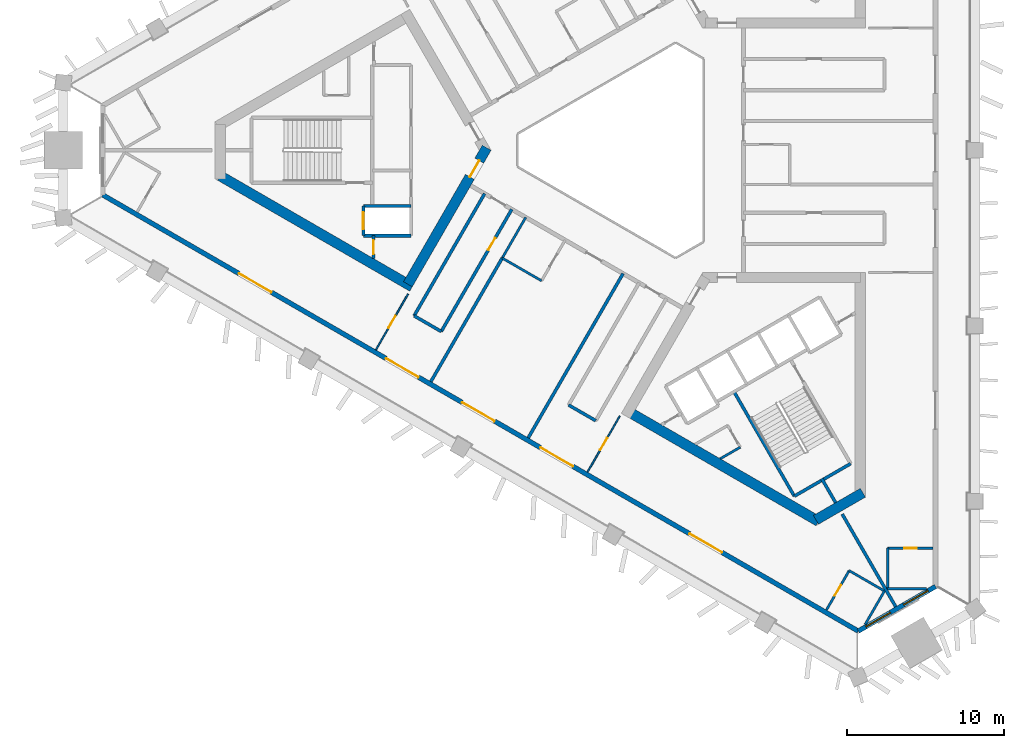
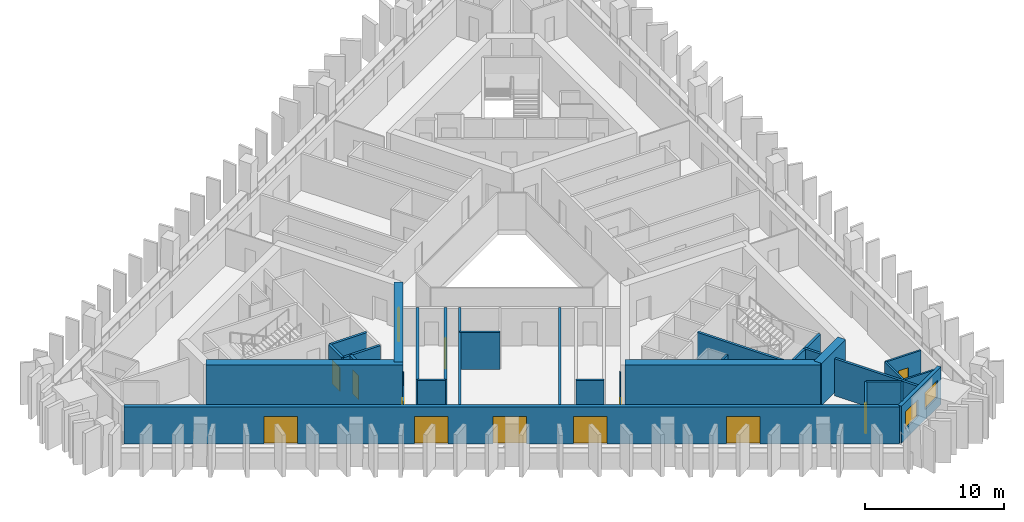
# One storey, part 2 of 10: 31 walls, 13 doors, 2 windows, 15 openings.
"""IFC4 building model written with IfcOpenShell, lengths in metres."""

from ifc_helpers import new_model, si_unit, direction, frame, frame_2d, origin, place, context, subcontext, project, spatial, rectangle, extrude, material, layer, layer_set, type_object, element, fill, save


model = new_model("IFC4")

# Units and contexts
model_context = context("Model", 3, precision=1e-05, world=origin(), true_north=direction((0.0, 1.0)))
body_context = subcontext(model_context, "Body", "Model", "MODEL_VIEW")
ifc_project = project(units=[si_unit("LENGTHUNIT", "METRE"), si_unit("AREAUNIT", "SQUARE_METRE"), si_unit("VOLUMEUNIT", "CUBIC_METRE"), si_unit("PLANEANGLEUNIT", "RADIAN"), si_unit("MASSUNIT", "GRAM", prefix="KILO")], contexts=[model_context])

# Site, building, storey
site_placement = place(None, origin())
site = spatial("IfcSite", under=ifc_project, at=site_placement, CompositionType="ELEMENT")
building_placement = place(site_placement, origin())
building = spatial("IfcBuilding", under=site, at=building_placement, Name="Jabali Bay Hotel Tower and Convention Centre", CompositionType="ELEMENT")
storey_placement = place(building_placement, frame((0.0, 0.0, 136.39990234375)))
storey = spatial("IfcBuildingStorey", under=building, at=storey_placement, Name="L33", CompositionType="ELEMENT", Elevation=136.39990234375)

# Wall, opening, door
ifc_material_1 = material(Name="Concrete C40", Category="concrete")
ifc_layer_1 = layer(ifc_material_1, 0.199951171875)
ifc_layer_set_1 = layer_set([ifc_layer_1], Name="Concrete C40")
wall_type_1 = type_object("IfcWallType", Name="Core partition wall 200", PredefinedType="PARTITIONING", material=ifc_layer_set_1)
wall_1_placement = place(storey_placement, frame((58.5, 74.550048828125, 0.0), z_axis=(0.0, 0.0, 1.0), x_axis=(0.0, -1.0, 0.0)))
wall_1 = element("IfcWall", 1, at=wall_1_placement, inside=storey, type_object=wall_type_1, Name="Core wall 0.10 L33", PredefinedType="PARTITIONING", context=body_context, shape_type="SweptSolid", body=[
    extrude(rectangle(XDim=1.455078125, YDim=0.199951171875, at=frame_2d((0.7275390625, 0.0))), origin(), (0.0, 0.0, 1.0), 3.25),
])
opening_1_placement = place(wall_1_placement, frame((0.277587890625, 0.0, 0.0)))
opening_1 = element("IfcOpeningElement", 2, at=opening_1_placement, cuts=wall_1, Name="Opening D726", PredefinedType="OPENING", context=body_context, shape_type="SweptSolid", body=[
    extrude(rectangle(XDim=0.89990234375, YDim=2.10009765625, at=frame_2d((0.449951171875, 1.050048828125))), frame((0.0, 0.1103515625, 0.0), z_axis=(0.0, -1.0, 0.0), x_axis=(1.0, 0.0, 0.0)), (0.0, 0.0, 1.0), 0.220947265625),
])
ifc_material_2 = material(Name="Fire-rated steel door", Category="steel")
door_type_1 = type_object("IfcDoorType", Name="Vestibule fire door 900 x 2100", OperationType="NOTDEFINED", PredefinedType="NOTDEFINED", material=ifc_material_2)
door_1_placement = place(opening_1_placement, origin())
door_1 = element("IfcDoor", 3, at=door_1_placement, inside=storey, type_object=door_type_1, Name="Vestibule fire door D726", OperationType="SINGLE_SWING_LEFT", OverallHeight=2.10009765625, OverallWidth=0.89990234375, PredefinedType="NOTDEFINED", context=body_context, shape_type="SweptSolid", body=[
    extrude(rectangle(XDim=0.89990234375, YDim=2.10009765625, at=frame_2d((0.449951171875, 1.050048828125))), frame((0.0, 0.02490234375, 0.0), z_axis=(0.0, -1.0, 0.0), x_axis=(1.0, 0.0, 0.0)), (0.0, 0.0, 1.0), 0.050048828125),
])
fill(opening_1, door_1)

# Walls
wall_2_placement = place(storey_placement, frame((87.090087890625, 59.0595703125, 0.0), z_axis=(0.0, 0.0, 1.0), x_axis=(0.499944938281, -0.866057191349, 0.0)))
element("IfcWall", 4, at=wall_2_placement, inside=storey, type_object=wall_type_1, Name="Core wall 2.5 L33", PredefinedType="PARTITIONING", context=body_context, shape_type="SweptSolid", body=[
    extrude(rectangle(XDim=1.773193359375, YDim=0.199951171875, at=frame_2d((0.88671875, 0.0))), origin(), (0.0, 0.0, 1.0), 3.25),
])
ifc_material_3 = material(Name="Fire-rated board partition")
ifc_layer_2 = layer(ifc_material_3, 0.14990234375)
ifc_layer_set_2 = layer_set([ifc_layer_2], Name="Fire-rated board partition")
wall_type_2 = type_object("IfcWallType", Name="Core room partition 150", PredefinedType="PARTITIONING", material=ifc_layer_set_2)
wall_3_placement = place(storey_placement, frame((80.619873046875, 60.323974609375, 0.0), z_axis=(0.0, 0.0, 1.0), x_axis=(0.866069507536, 0.49992360228, 0.0)))
element("IfcWall", 5, at=wall_3_placement, inside=storey, type_object=wall_type_2, Name="Core wall 2.17 L33", PredefinedType="PARTITIONING", context=body_context, shape_type="SweptSolid", body=[
    extrude(rectangle(XDim=1.470947265625, YDim=0.14990234375, at=frame_2d((0.7353515625, 0.0))), origin(), (0.0, 0.0, 1.0), 3.25),
])
ifc_layer_3 = layer(ifc_material_1, 0.199951171875)
ifc_layer_set_3 = layer_set([ifc_layer_3], Name="Concrete C40")
wall_type_3 = type_object("IfcWallType", Name="Core stair wall 200", PredefinedType="SOLIDWALL", material=ifc_layer_set_3)
for number, where, z_axis, x_axis, name in (
    (6, (60.89990234375, 76.449951171875, 0.0), (0.0, 0.0, 1.0), (-1.0, 0.0, 0.0), "Core wall 0.6 L33"),
    (7, (60.89990234375, 74.550048828125, 0.0), (0.0, 0.0, 1.0), (-1.0, 0.0, 0.0), "Core wall 0.7 L33"),
):
    element("IfcWall", number, at=place(storey_placement, frame(where, z_axis=z_axis, x_axis=x_axis)), inside=storey, type_object=wall_type_3, Name=name, PredefinedType="SOLIDWALL", context=body_context, shape_type="SweptSolid", body=[
        extrude(rectangle(XDim=3.0498046875, YDim=0.199951171875, at=frame_2d((1.52490234375, 0.0))), origin(), (0.0, 0.0, 1.0), 3.25),
    ])

# Wall, opening, door
wall_4_placement = place(storey_placement, frame((57.85009765625, 76.449951171875, 0.0), z_axis=(0.0, 0.0, 1.0), x_axis=(0.0, -1.0, 0.0)))
wall_4 = element("IfcWall", 8, at=wall_4_placement, inside=storey, type_object=wall_type_3, Name="Core wall 0.12 L33", PredefinedType="SOLIDWALL", context=body_context, shape_type="SweptSolid", body=[
    extrude(rectangle(XDim=1.89990234375, YDim=0.199951171875, at=frame_2d((0.949951171875, 0.0))), origin(), (0.0, 0.0, 1.0), 3.25),
])
opening_2_placement = place(wall_4_placement, frame((0.39990234375, 0.0, 0.0)))
opening_2 = element("IfcOpeningElement", 9, at=opening_2_placement, cuts=wall_4, Name="Opening LD5-L33", PredefinedType="OPENING", context=body_context, shape_type="SweptSolid", body=[
    extrude(rectangle(XDim=1.10009765625, YDim=2.10009765625, at=frame_2d((0.550048828125, 1.050048828125))), frame((0.0, 0.1103515625, 0.0), z_axis=(0.0, -1.0, 0.0), x_axis=(1.0, 0.0, 0.0)), (0.0, 0.0, 1.0), 0.220947265625),
])
ifc_material_4 = material(Name="Stainless steel landing door", Category="steel")
door_type_2 = type_object("IfcDoorType", Name="Landing door 1100 x 2100", OperationType="NOTDEFINED", PredefinedType="NOTDEFINED", material=ifc_material_4)
door_2_placement = place(opening_2_placement, origin())
door_2 = element("IfcDoor", 10, at=door_2_placement, inside=storey, type_object=door_type_2, Name="Landing doors LD5-L33", OperationType="SLIDING_TO_RIGHT", OverallHeight=2.10009765625, OverallWidth=1.10009765625, PredefinedType="NOTDEFINED", context=body_context, shape_type="SweptSolid", body=[
    extrude(rectangle(XDim=1.10009765625, YDim=2.10009765625, at=frame_2d((0.550048828125, 1.050048828125))), frame((0.0, 0.02490234375, 0.0), z_axis=(0.0, -1.0, 0.0), x_axis=(1.0, 0.0, 0.0)), (0.0, 0.0, 1.0), 0.050048828125),
])
fill(opening_2, door_2)

# Walls
wall_5_placement = place(storey_placement, frame((81.492919921875, 64.603759765625, 0.0), z_axis=(0.0, 0.0, 1.0), x_axis=(0.500006057782, -0.866021906294, 0.0)))
element("IfcWall", 11, at=wall_5_placement, inside=storey, type_object=wall_type_3, Name="Core wall 2.3 L33", PredefinedType="SOLIDWALL", context=body_context, shape_type="SweptSolid", body=[
    extrude(rectangle(XDim=7.7001953125, YDim=0.199951171875, at=frame_2d((3.85009765625, 0.0))), origin(), (0.0, 0.0, 1.0), 3.25),
])
wall_6_placement = place(storey_placement, frame((85.343017578125, 57.935302734375, 0.0), z_axis=(0.0, 0.0, 1.0), x_axis=(0.866004344652, 0.500036473714, 0.0)))
element("IfcWall", 12, at=wall_6_placement, inside=storey, type_object=wall_type_3, Name="Core wall 2.18 L33", PredefinedType="SOLIDWALL", context=body_context, shape_type="SweptSolid", body=[
    extrude(rectangle(XDim=4.150146484375, YDim=0.199951171875, at=frame_2d((2.0751953125, 0.0))), origin(), (0.0, 0.0, 1.0), 3.25),
])
ifc_material_5 = material(Name="Concrete C60", Category="concrete")
ifc_layer_4 = layer(ifc_material_5, 0.64990234375)
ifc_layer_set_4 = layer_set([ifc_layer_4], Name="Concrete C60")
wall_type_4 = type_object("IfcWallType", Name="Core wall 650", PredefinedType="SHEAR", material=ifc_layer_set_4)
wall_7_placement = place(storey_placement, frame((48.721923828125, 78.364990234375, 0.0), z_axis=(0.0, 0.0, 1.0), x_axis=(0.866020036431, -0.500009296414, 0.0)))
element("IfcWall", 13, at=wall_7_placement, inside=storey, type_object=wall_type_4, Name="Core wall 1.4 L33", PredefinedType="SHEAR", context=body_context, shape_type="SweptSolid", body=[
    extrude(rectangle(XDim=14.145751953125, YDim=0.64990234375, at=frame_2d((7.07275390625, 0.0))), origin(), (0.0, 0.0, 1.0), 3.7001953125),
])

# Wall, opening, door
wall_8_placement = place(storey_placement, frame((60.691162109375, 71.45458984375, 0.0), z_axis=(0.0, 0.0, 1.0), x_axis=(0.499983075189, 0.866035175108, 0.0)))
wall_8 = element("IfcWall", 14, at=wall_8_placement, inside=storey, type_object=wall_type_4, Name="Core wall 1.5 L33", PredefinedType="SHEAR", context=body_context, shape_type="SweptSolid", body=[
    extrude(rectangle(XDim=10.054931640625, YDim=0.64990234375, at=frame_2d((5.02734375, 0.0))), origin(), (0.0, 0.0, 1.0), 3.7001953125),
])
opening_3_placement = place(wall_8_placement, frame((7.905029296875, 0.0, 0.0)))
opening_3 = element("IfcOpeningElement", 15, at=opening_3_placement, cuts=wall_8, Name="Opening D723", PredefinedType="OPENING", context=body_context, shape_type="SweptSolid", body=[
    extrude(rectangle(XDim=1.199951171875, YDim=2.10009765625, at=frame_2d((0.60009765625, 1.050048828125))), frame((0.0, 0.33544921875, 0.0), z_axis=(0.0, -1.0, 0.0), x_axis=(1.0, 0.0, 0.0)), (0.0, 0.0, 1.0), 0.6708984375),
])
door_type_3 = type_object("IfcDoorType", Name="Corridor end fire door 1200 x 2100", OperationType="NOTDEFINED", PredefinedType="NOTDEFINED", material=ifc_material_2)
door_3_placement = place(opening_3_placement, origin())
door_3 = element("IfcDoor", 16, at=door_3_placement, inside=storey, type_object=door_type_3, Name="Corridor end fire door D723", OperationType="SINGLE_SWING_LEFT", OverallHeight=2.10009765625, OverallWidth=1.199951171875, PredefinedType="NOTDEFINED", context=body_context, shape_type="SweptSolid", body=[
    extrude(rectangle(XDim=1.199951171875, YDim=2.10009765625, at=frame_2d((0.60009765625, 1.050048828125))), frame((0.0, 0.02490234375, 0.0), z_axis=(0.0, -1.0, 0.0), x_axis=(1.0, 0.0, 0.0)), (0.0, 0.0, 1.0), 0.050048828125),
])
fill(opening_3, door_3)

# Walls
wall_9_placement = place(storey_placement, frame((74.75390625, 63.33544921875, 0.0), z_axis=(0.0, 0.0, 1.0), x_axis=(0.866026250715, -0.49999853307, 0.0)))
element("IfcWall", 17, at=wall_9_placement, inside=storey, type_object=wall_type_4, Name="Core wall 3.2 L33", PredefinedType="SHEAR", context=body_context, shape_type="SweptSolid", body=[
    extrude(rectangle(XDim=14.00830078125, YDim=0.64990234375, at=frame_2d((7.004150390625, 0.0))), origin(), (0.0, 0.0, 1.0), 3.7001953125),
])
wall_10_placement = place(storey_placement, frame((86.72314453125, 56.425048828125, 0.0), z_axis=(0.0, 0.0, 1.0), x_axis=(0.866031550877, 0.499989352773, 0.0)))
element("IfcWall", 18, at=wall_10_placement, inside=storey, type_object=wall_type_4, Name="Core wall 3.3 L33", PredefinedType="SHEAR", context=body_context, shape_type="SweptSolid", body=[
    extrude(rectangle(XDim=3.45751953125, YDim=0.64990234375, at=frame_2d((1.728759765625, 0.0))), origin(), (0.0, 0.0, 1.0), 3.7001953125),
])

# Wall, openings, windows
ifc_layer_5 = layer(ifc_material_1, 0.300048828125)
ifc_layer_set_5 = layer_set([ifc_layer_5], Name="Concrete C40")
wall_type_5 = type_object("IfcWallType", Name="External wall 300", PredefinedType="SOLIDWALL", material=ifc_layer_set_5)
wall_11_placement = place(storey_placement, frame((94.351806640625, 52.175537109375, 0.0), z_axis=(0.0, 0.0, 1.0), x_axis=(-0.86600207179, -0.500040410022, 0.0)))
wall_11 = element("IfcWall", 19, at=wall_11_placement, inside=storey, type_object=wall_type_5, Name="External wall south-east chamfer L33", PredefinedType="SOLIDWALL", context=body_context, shape_type="SweptSolid", body=[
    extrude(rectangle(XDim=5.69384765625, YDim=0.300048828125, at=frame_2d((2.846923828125, 0.0))), origin(), (0.0, 0.0, 1.0), 3.25),
])
opening_4_placement = place(wall_11_placement, frame((0.546142578125, 0.0, 0.89990234375)))
opening_4 = element("IfcOpeningElement", 20, at=opening_4_placement, cuts=wall_11, Name="Opening W1", PredefinedType="OPENING", context=body_context, shape_type="SweptSolid", body=[
    extrude(rectangle(XDim=1.800048828125, YDim=1.5, at=frame_2d((0.89990234375, 0.75))), frame((0.0, 0.16064453125, 0.0), z_axis=(0.0, -1.0, 0.0), x_axis=(1.0, 0.0, 0.0)), (0.0, 0.0, 1.0), 0.321044921875),
])
opening_5_placement = place(wall_11_placement, frame((3.331298828125, 0.0, 0.89990234375)))
opening_5 = element("IfcOpeningElement", 21, at=opening_5_placement, cuts=wall_11, Name="Opening W1", PredefinedType="OPENING", context=body_context, shape_type="SweptSolid", body=[
    extrude(rectangle(XDim=1.800048828125, YDim=1.5, at=frame_2d((0.89990234375, 0.75))), frame((0.0, 0.16064453125, 0.0), z_axis=(0.0, -1.0, 0.0), x_axis=(1.0, 0.0, 0.0)), (0.0, 0.0, 1.0), 0.321044921875),
])
ifc_material_6 = material(Name="Glass", Category="glass")
window_type = type_object("IfcWindowType", Name="Window 1800 x 1500", PartitioningType="SINGLE_PANEL", PredefinedType="WINDOW", material=ifc_material_6)
window_1_placement = place(opening_4_placement, origin())
window_1 = element("IfcWindow", 22, at=window_1_placement, inside=storey, type_object=window_type, Name="Window 3301", OverallHeight=1.5, OverallWidth=1.800048828125, PartitioningType="SINGLE_PANEL", PredefinedType="WINDOW", context=body_context, shape_type="SweptSolid", body=[
    extrude(rectangle(XDim=1.800048828125, YDim=1.5, at=frame_2d((0.89990234375, 0.75))), frame((0.0, 0.030029296875, 0.0), z_axis=(0.0, -1.0, 0.0), x_axis=(1.0, 0.0, 0.0)), (0.0, 0.0, 1.0), 0.06005859375),
])
fill(opening_4, window_1)
window_2_placement = place(opening_5_placement, origin())
window_2 = element("IfcWindow", 23, at=window_2_placement, inside=storey, type_object=window_type, Name="Window 3314", OverallHeight=1.5, OverallWidth=1.800048828125, PartitioningType="SINGLE_PANEL", PredefinedType="WINDOW", context=body_context, shape_type="SweptSolid", body=[
    extrude(rectangle(XDim=1.800048828125, YDim=1.5, at=frame_2d((0.89990234375, 0.75))), frame((0.0, 0.030029296875, 0.0), z_axis=(0.0, -1.0, 0.0), x_axis=(1.0, 0.0, 0.0)), (0.0, 0.0, 1.0), 0.06005859375),
])
fill(opening_5, window_2)

# Wall, openings, doors
wall_12_placement = place(storey_placement, frame((89.4208984375, 49.328369140625, 0.0), z_axis=(0.0, 0.0, 1.0), x_axis=(-0.866024492862, 0.50000157776, 0.0)))
wall_12 = element("IfcWall", 24, at=wall_12_placement, inside=storey, type_object=wall_type_5, Name="External wall south-west face L33", PredefinedType="SOLIDWALL", context=body_context, shape_type="SweptSolid", body=[
    extrude(rectangle(XDim=55.649169921875, YDim=0.300048828125, at=frame_2d((27.82470703125, 0.0))), origin(), (0.0, 0.0, 1.0), 3.25),
])
opening_6_placement = place(wall_12_placement, frame((26.780517578125, 0.0, 0.0)))
opening_6 = element("IfcOpeningElement", 25, at=opening_6_placement, cuts=wall_12, Name="Opening SD1", PredefinedType="OPENING", context=body_context, shape_type="SweptSolid", body=[
    extrude(rectangle(XDim=2.39990234375, YDim=2.39990234375, at=frame_2d((1.199951171875, 1.199951171875))), frame((0.0, 0.16064453125, 0.0), z_axis=(0.0, -1.0, 0.0), x_axis=(1.0, 0.0, 0.0)), (0.0, 0.0, 1.0), 0.321044921875),
])
opening_7_placement = place(wall_12_placement, frame((32.392333984375, 0.0, 0.0)))
opening_7 = element("IfcOpeningElement", 26, at=opening_7_placement, cuts=wall_12, Name="Opening SD1", PredefinedType="OPENING", context=body_context, shape_type="SweptSolid", body=[
    extrude(rectangle(XDim=2.39990234375, YDim=2.39990234375, at=frame_2d((1.199951171875, 1.199951171875))), frame((0.0, 0.16064453125, 0.0), z_axis=(0.0, -1.0, 0.0), x_axis=(1.0, 0.0, 0.0)), (0.0, 0.0, 1.0), 0.321044921875),
])
opening_8_placement = place(wall_12_placement, frame((43.2197265625, 0.0, 0.0)))
opening_8 = element("IfcOpeningElement", 27, at=opening_8_placement, cuts=wall_12, Name="Opening SD1", PredefinedType="OPENING", context=body_context, shape_type="SweptSolid", body=[
    extrude(rectangle(XDim=2.39990234375, YDim=2.39990234375, at=frame_2d((1.199951171875, 1.199951171875))), frame((0.0, 0.16064453125, 0.0), z_axis=(0.0, -1.0, 0.0), x_axis=(1.0, 0.0, 0.0)), (0.0, 0.0, 1.0), 0.321044921875),
])
opening_9_placement = place(wall_12_placement, frame((21.0126953125, 0.0, 0.0)))
opening_9 = element("IfcOpeningElement", 28, at=opening_9_placement, cuts=wall_12, Name="Opening SD1", PredefinedType="OPENING", context=body_context, shape_type="SweptSolid", body=[
    extrude(rectangle(XDim=2.39990234375, YDim=2.39990234375, at=frame_2d((1.199951171875, 1.199951171875))), frame((0.0, 0.16064453125, 0.0), z_axis=(0.0, -1.0, 0.0), x_axis=(1.0, 0.0, 0.0)), (0.0, 0.0, 1.0), 0.321044921875),
])
opening_10_placement = place(wall_12_placement, frame((10.021240234375, 0.0, 0.0)))
opening_10 = element("IfcOpeningElement", 29, at=opening_10_placement, cuts=wall_12, Name="Opening SD1", PredefinedType="OPENING", context=body_context, shape_type="SweptSolid", body=[
    extrude(rectangle(XDim=2.39990234375, YDim=2.39990234375, at=frame_2d((1.199951171875, 1.199951171875))), frame((0.0, 0.16064453125, 0.0), z_axis=(0.0, -1.0, 0.0), x_axis=(1.0, 0.0, 0.0)), (0.0, 0.0, 1.0), 0.321044921875),
])
door_type_4 = type_object("IfcDoorType", Name="Loggia sliding door 2400 x 2400", OperationType="NOTDEFINED", PredefinedType="NOTDEFINED", material=ifc_material_6)
door_4_placement = place(opening_6_placement, origin())
door_4 = element("IfcDoor", 30, at=door_4_placement, inside=storey, type_object=door_type_4, Name="Loggia sliding door 3313", OperationType="SLIDING_TO_LEFT", OverallHeight=2.39990234375, OverallWidth=2.39990234375, PredefinedType="NOTDEFINED", context=body_context, shape_type="SweptSolid", body=[
    extrude(rectangle(XDim=2.39990234375, YDim=2.39990234375, at=frame_2d((1.199951171875, 1.199951171875))), frame((0.0, 0.02490234375, 0.0), z_axis=(0.0, -1.0, 0.0), x_axis=(1.0, 0.0, 0.0)), (0.0, 0.0, 1.0), 0.050048828125),
])
fill(opening_6, door_4)
door_5_placement = place(opening_7_placement, origin())
door_5 = element("IfcDoor", 31, at=door_5_placement, inside=storey, type_object=door_type_4, Name="Loggia sliding door 3311", OperationType="SLIDING_TO_RIGHT", OverallHeight=2.39990234375, OverallWidth=2.39990234375, PredefinedType="NOTDEFINED", context=body_context, shape_type="SweptSolid", body=[
    extrude(rectangle(XDim=2.39990234375, YDim=2.39990234375, at=frame_2d((1.199951171875, 1.199951171875))), frame((0.0, 0.02490234375, 0.0), z_axis=(0.0, -1.0, 0.0), x_axis=(1.0, 0.0, 0.0)), (0.0, 0.0, 1.0), 0.050048828125),
])
fill(opening_7, door_5)
door_6_placement = place(opening_8_placement, origin())
door_6 = element("IfcDoor", 32, at=door_6_placement, inside=storey, type_object=door_type_4, Name="Loggia sliding door 3311", OperationType="SLIDING_TO_LEFT", OverallHeight=2.39990234375, OverallWidth=2.39990234375, PredefinedType="NOTDEFINED", context=body_context, shape_type="SweptSolid", body=[
    extrude(rectangle(XDim=2.39990234375, YDim=2.39990234375, at=frame_2d((1.199951171875, 1.199951171875))), frame((0.0, 0.02490234375, 0.0), z_axis=(0.0, -1.0, 0.0), x_axis=(1.0, 0.0, 0.0)), (0.0, 0.0, 1.0), 0.050048828125),
])
fill(opening_8, door_6)
door_7_placement = place(opening_9_placement, origin())
door_7 = element("IfcDoor", 33, at=door_7_placement, inside=storey, type_object=door_type_4, Name="Loggia sliding door 3314", OperationType="SLIDING_TO_RIGHT", OverallHeight=2.39990234375, OverallWidth=2.39990234375, PredefinedType="NOTDEFINED", context=body_context, shape_type="SweptSolid", body=[
    extrude(rectangle(XDim=2.39990234375, YDim=2.39990234375, at=frame_2d((1.199951171875, 1.199951171875))), frame((0.0, 0.02490234375, 0.0), z_axis=(0.0, -1.0, 0.0), x_axis=(1.0, 0.0, 0.0)), (0.0, 0.0, 1.0), 0.050048828125),
])
fill(opening_9, door_7)
door_8_placement = place(opening_10_placement, origin())
door_8 = element("IfcDoor", 34, at=door_8_placement, inside=storey, type_object=door_type_4, Name="Loggia sliding door 3314", OperationType="SLIDING_TO_LEFT", OverallHeight=2.39990234375, OverallWidth=2.39990234375, PredefinedType="NOTDEFINED", context=body_context, shape_type="SweptSolid", body=[
    extrude(rectangle(XDim=2.39990234375, YDim=2.39990234375, at=frame_2d((1.199951171875, 1.199951171875))), frame((0.0, 0.02490234375, 0.0), z_axis=(0.0, -1.0, 0.0), x_axis=(1.0, 0.0, 0.0)), (0.0, 0.0, 1.0), 0.050048828125),
])
fill(opening_10, door_8)

# Wall, opening, door
ifc_material_7 = material(Name="Plasterboard on steel stud", Category="steel")
ifc_layer_6 = layer(ifc_material_7, 0.10009765625)
ifc_layer_set_6 = layer_set([ifc_layer_6], Name="Plasterboard on steel stud")
wall_type_6 = type_object("IfcWallType", Name="Partition 100 unit", PredefinedType="PARTITIONING", material=ifc_layer_set_6)
wall_13_placement = place(storey_placement, frame((60.71044921875, 70.83837890625, 0.0), z_axis=(0.0, 0.0, 1.0), x_axis=(-0.499997465321, -0.866026867177, 0.0)))
wall_13 = element("IfcWall", 35, at=wall_13_placement, inside=storey, type_object=wall_type_6, Name="Partition P02 L33 041", PredefinedType="PARTITIONING", context=body_context, shape_type="SweptSolid", body=[
    extrude(rectangle(XDim=4.1240234375, YDim=0.10009765625, at=frame_2d((2.06201171875, 0.0))), origin(), (0.0, 0.0, 1.0), 3.25),
])
opening_11_placement = place(wall_13_placement, frame((1.612060546875, 0.0, 0.0)))
opening_11 = element("IfcOpeningElement", 36, at=opening_11_placement, cuts=wall_13, Name="Opening 3322", PredefinedType="OPENING", context=body_context, shape_type="SweptSolid", body=[
    extrude(rectangle(XDim=0.89990234375, YDim=2.10009765625, at=frame_2d((0.449951171875, 1.050048828125))), frame((0.0, 0.060546875, 0.0), z_axis=(0.0, -1.0, 0.0), x_axis=(1.0, 0.0, 0.0)), (0.0, 0.0, 1.0), 0.12109375),
])
ifc_material_8 = material(Name="Timber", Category="wood")
door_type_5 = type_object("IfcDoorType", Name="Internal door 900 x 2100", OperationType="NOTDEFINED", PredefinedType="NOTDEFINED", material=ifc_material_8)
door_9_placement = place(opening_11_placement, origin())
door_9 = element("IfcDoor", 37, at=door_9_placement, inside=storey, type_object=door_type_5, Name="Door 3322", OperationType="SINGLE_SWING_RIGHT", OverallHeight=2.10009765625, OverallWidth=0.89990234375, PredefinedType="NOTDEFINED", context=body_context, shape_type="SweptSolid", body=[
    extrude(rectangle(XDim=0.89990234375, YDim=2.10009765625, at=frame_2d((0.449951171875, 1.050048828125))), frame((0.0, 0.02490234375, 0.0), z_axis=(0.0, -1.0, 0.0), x_axis=(1.0, 0.0, 0.0)), (0.0, 0.0, 1.0), 0.050048828125),
])
fill(opening_11, door_9)

wall_14_placement = place(storey_placement, frame((72.1484375, 59.47265625, 0.0), z_axis=(0.0, 0.0, 1.0), x_axis=(0.499997465321, 0.866026867177, 0.0)))
wall_14 = element("IfcWall", 38, at=wall_14_placement, inside=storey, type_object=wall_type_6, Name="Partition P02 L33 053", PredefinedType="PARTITIONING", context=body_context, shape_type="SweptSolid", body=[
    extrude(rectangle(XDim=4.1240234375, YDim=0.10009765625, at=frame_2d((2.06201171875, 0.0))), origin(), (0.0, 0.0, 1.0), 3.25),
])
opening_12_placement = place(wall_14_placement, frame((1.612060546875, 0.0, 0.0)))
opening_12 = element("IfcOpeningElement", 39, at=opening_12_placement, cuts=wall_14, Name="Opening 3328", PredefinedType="OPENING", context=body_context, shape_type="SweptSolid", body=[
    extrude(rectangle(XDim=0.89990234375, YDim=2.10009765625, at=frame_2d((0.449951171875, 1.050048828125))), frame((0.0, 0.060546875, 0.0), z_axis=(0.0, -1.0, 0.0), x_axis=(1.0, 0.0, 0.0)), (0.0, 0.0, 1.0), 0.12109375),
])
door_10_placement = place(opening_12_placement, origin())
door_10 = element("IfcDoor", 40, at=door_10_placement, inside=storey, type_object=door_type_5, Name="Door 3328", OperationType="SINGLE_SWING_RIGHT", OverallHeight=2.10009765625, OverallWidth=0.89990234375, PredefinedType="NOTDEFINED", context=body_context, shape_type="SweptSolid", body=[
    extrude(rectangle(XDim=0.89990234375, YDim=2.10009765625, at=frame_2d((0.449951171875, 1.050048828125))), frame((0.0, 0.02490234375, 0.0), z_axis=(0.0, -1.0, 0.0), x_axis=(1.0, 0.0, 0.0)), (0.0, 0.0, 1.0), 0.050048828125),
])
fill(opening_12, door_10)

# Walls
ifc_layer_7 = layer(ifc_material_7, 0.14990234375)
ifc_layer_set_7 = layer_set([ifc_layer_7], Name="Plasterboard on steel stud")
wall_type_7 = type_object("IfcWallType", Name="Partition 150 wet", PredefinedType="PARTITIONING", material=ifc_layer_set_7)
wall_15_placement = place(storey_placement, frame((93.788330078125, 52.02197265625, 0.0), z_axis=(0.0, 0.0, 1.0), x_axis=(-1.0, 0.0, 0.0)))
element("IfcWall", 41, at=wall_15_placement, inside=storey, type_object=wall_type_7, Name="Partition P03 L33 007", PredefinedType="PARTITIONING", context=body_context, shape_type="SweptSolid", body=[
    extrude(rectangle(XDim=2.48681640625, YDim=0.14990234375, at=frame_2d((1.243408203125, 0.0))), origin(), (0.0, 0.0, 1.0), 3.25),
])
wall_16_placement = place(storey_placement, frame((91.301513671875, 52.02197265625, 0.0), z_axis=(0.0, 0.0, 1.0), x_axis=(0.0, 1.0, 0.0)))
element("IfcWall", 42, at=wall_16_placement, inside=storey, type_object=wall_type_7, Name="Partition P03 L33 008", PredefinedType="PARTITIONING", context=body_context, shape_type="SweptSolid", body=[
    extrude(rectangle(XDim=2.60009765625, YDim=0.14990234375, at=frame_2d((1.300048828125, 0.0))), origin(), (0.0, 0.0, 1.0), 3.25),
])

# Wall, opening, door
wall_17_placement = place(storey_placement, frame((91.301513671875, 54.6220703125, 0.0), z_axis=(0.0, 0.0, 1.0), x_axis=(1.0, 0.0, 0.0)))
wall_17 = element("IfcWall", 43, at=wall_17_placement, inside=storey, type_object=wall_type_7, Name="Partition P03 L33 009", PredefinedType="PARTITIONING", context=body_context, shape_type="SweptSolid", body=[
    extrude(rectangle(XDim=2.900146484375, YDim=0.14990234375, at=frame_2d((1.4501953125, 0.0))), origin(), (0.0, 0.0, 1.0), 3.25),
])
opening_13_placement = place(wall_17_placement, frame((1.050048828125, 0.0, 0.0)))
opening_13 = element("IfcOpeningElement", 44, at=opening_13_placement, cuts=wall_17, Name="Opening 3303", PredefinedType="OPENING", context=body_context, shape_type="SweptSolid", body=[
    extrude(rectangle(XDim=0.800048828125, YDim=2.10009765625, at=frame_2d((0.39990234375, 1.050048828125))), frame((0.0, 0.08544921875, 0.0), z_axis=(0.0, -1.0, 0.0), x_axis=(1.0, 0.0, 0.0)), (0.0, 0.0, 1.0), 0.1708984375),
])
door_type_6 = type_object("IfcDoorType", Name="En-suite door 800 x 2100", OperationType="NOTDEFINED", PredefinedType="NOTDEFINED", material=ifc_material_8)
door_11_placement = place(opening_13_placement, origin())
door_11 = element("IfcDoor", 45, at=door_11_placement, inside=storey, type_object=door_type_6, Name="Door 3303", OperationType="SINGLE_SWING_RIGHT", OverallHeight=2.10009765625, OverallWidth=0.800048828125, PredefinedType="NOTDEFINED", context=body_context, shape_type="SweptSolid", body=[
    extrude(rectangle(XDim=0.800048828125, YDim=2.10009765625, at=frame_2d((0.39990234375, 1.050048828125))), frame((0.0, 0.02490234375, 0.0), z_axis=(0.0, -1.0, 0.0), x_axis=(1.0, 0.0, 0.0)), (0.0, 0.0, 1.0), 0.050048828125),
])
fill(opening_13, door_11)

# Walls
wall_18_placement = place(storey_placement, frame((66.7099609375, 73.123779296875, 0.0), z_axis=(0.0, 0.0, 1.0), x_axis=(0.499990139034, 0.866031096941, 0.0)))
element("IfcWall", 46, at=wall_18_placement, inside=storey, type_object=wall_type_7, Name="Partition P03 L33 046", PredefinedType="PARTITIONING", context=body_context, shape_type="SweptSolid", body=[
    extrude(rectangle(XDim=3.0, YDim=0.14990234375, at=frame_2d((1.5, 0.0))), origin(), (0.0, 0.0, 1.0), 3.25),
])
wall_19_placement = place(storey_placement, frame((69.221435546875, 71.673828125, 0.0), z_axis=(0.0, 0.0, 1.0), x_axis=(-0.866032775405, 0.499987231761, 0.0)))
element("IfcWall", 47, at=wall_19_placement, inside=storey, type_object=wall_type_7, Name="Partition P03 L33 051", PredefinedType="PARTITIONING", context=body_context, shape_type="SweptSolid", body=[
    extrude(rectangle(XDim=2.89990234375, YDim=0.14990234375, at=frame_2d((1.449951171875, 0.0))), origin(), (0.0, 0.0, 1.0), 3.25),
])

# Wall, opening, door
wall_20_placement = place(storey_placement, frame((87.391357421875, 50.673828125, 0.0), z_axis=(0.0, 0.0, 1.0), x_axis=(0.499987231761, 0.866032775405, 0.0)))
wall_20 = element("IfcWall", 48, at=wall_20_placement, inside=storey, type_object=wall_type_7, Name="Partition P03 L33 057", PredefinedType="PARTITIONING", context=body_context, shape_type="SweptSolid", body=[
    extrude(rectangle(XDim=2.89990234375, YDim=0.14990234375, at=frame_2d((1.449951171875, 0.0))), origin(), (0.0, 0.0, 1.0), 3.25),
])
opening_14_placement = place(wall_20_placement, frame((1.050048828125, 0.0, 0.0)))
opening_14 = element("IfcOpeningElement", 49, at=opening_14_placement, cuts=wall_20, Name="Opening 3329", PredefinedType="OPENING", context=body_context, shape_type="SweptSolid", body=[
    extrude(rectangle(XDim=0.800048828125, YDim=2.10009765625, at=frame_2d((0.39990234375, 1.050048828125))), frame((0.0, 0.08544921875, 0.0), z_axis=(0.0, -1.0, 0.0), x_axis=(1.0, 0.0, 0.0)), (0.0, 0.0, 1.0), 0.1708984375),
])
door_12_placement = place(opening_14_placement, origin())
door_12 = element("IfcDoor", 50, at=door_12_placement, inside=storey, type_object=door_type_6, Name="Door 3329", OperationType="SINGLE_SWING_LEFT", OverallHeight=2.10009765625, OverallWidth=0.800048828125, PredefinedType="NOTDEFINED", context=body_context, shape_type="SweptSolid", body=[
    extrude(rectangle(XDim=0.800048828125, YDim=2.10009765625, at=frame_2d((0.39990234375, 1.050048828125))), frame((0.0, 0.02490234375, 0.0), z_axis=(0.0, -1.0, 0.0), x_axis=(1.0, 0.0, 0.0)), (0.0, 0.0, 1.0), 0.050048828125),
])
fill(opening_14, door_12)

# Walls
wall_21_placement = place(storey_placement, frame((88.84130859375, 53.185302734375, 0.0), z_axis=(0.0, 0.0, 1.0), x_axis=(0.866021400173, -0.500006934395, 0.0)))
element("IfcWall", 51, at=wall_21_placement, inside=storey, type_object=wall_type_7, Name="Partition P03 L33 058", PredefinedType="PARTITIONING", context=body_context, shape_type="SweptSolid", body=[
    extrude(rectangle(XDim=2.60009765625, YDim=0.14990234375, at=frame_2d((1.300048828125, 0.0))), origin(), (0.0, 0.0, 1.0), 3.25),
])
wall_22_placement = place(storey_placement, frame((91.093017578125, 51.88525390625, 0.0), z_axis=(0.0, 0.0, 1.0), x_axis=(-0.499994660107, -0.866028486751, 0.0)))
element("IfcWall", 52, at=wall_22_placement, inside=storey, type_object=wall_type_7, Name="Partition P03 L33 059", PredefinedType="PARTITIONING", context=body_context, shape_type="SweptSolid", body=[
    extrude(rectangle(XDim=2.45849609375, YDim=0.14990234375, at=frame_2d((1.229248046875, 0.0))), origin(), (0.0, 0.0, 1.0), 3.25),
])
ifc_layer_8 = layer(ifc_material_7, 0.199951171875)
ifc_layer_set_8 = layer_set([ifc_layer_8], Name="Plasterboard on steel stud")
wall_type_8 = type_object("IfcWallType", Name="Partition 200 party", PredefinedType="PARTITIONING", material=ifc_layer_set_8)
wall_23_placement = place(storey_placement, frame((88.401123046875, 56.788818359375, 0.0), z_axis=(0.0, 0.0, 1.0), x_axis=(0.499980624807, -0.866036589769, 0.0)))
element("IfcWall", 53, at=wall_23_placement, inside=storey, type_object=wall_type_8, Name="Partition P01 L33 010", PredefinedType="PARTITIONING", context=body_context, shape_type="SweptSolid", body=[
    extrude(rectangle(XDim=6.821533203125, YDim=0.199951171875, at=frame_2d((3.41064453125, 0.0))), origin(), (0.0, 0.0, 1.0), 3.25),
])

# Wall, opening, door
wall_24_placement = place(storey_placement, frame((67.321044921875, 76.235107421875, 0.0), z_axis=(0.0, 0.0, 1.0), x_axis=(-0.5000018851, -0.866024315419, 0.0)))
wall_24 = element("IfcWall", 54, at=wall_24_placement, inside=storey, type_object=wall_type_8, Name="Partition P01 L33 042", PredefinedType="PARTITIONING", context=body_context, shape_type="SweptSolid", body=[
    extrude(rectangle(XDim=9.0, YDim=0.199951171875, at=frame_2d((4.5, 0.0))), origin(), (0.0, 0.0, 1.0), 3.25),
])
opening_15_placement = place(wall_24_placement, frame((2.10009765625, 0.0, 0.0)))
opening_15 = element("IfcOpeningElement", 55, at=opening_15_placement, cuts=wall_24, Name="Opening 3324", PredefinedType="OPENING", context=body_context, shape_type="SweptSolid", body=[
    extrude(rectangle(XDim=0.89990234375, YDim=2.10009765625, at=frame_2d((0.449951171875, 1.050048828125))), frame((0.0, 0.1103515625, 0.0), z_axis=(0.0, -1.0, 0.0), x_axis=(1.0, 0.0, 0.0)), (0.0, 0.0, 1.0), 0.220947265625),
])
door_13_placement = place(opening_15_placement, origin())
door_13 = element("IfcDoor", 56, at=door_13_placement, inside=storey, type_object=door_type_5, Name="Door 3324", OperationType="SINGLE_SWING_LEFT", OverallHeight=2.10009765625, OverallWidth=0.89990234375, PredefinedType="NOTDEFINED", context=body_context, shape_type="SweptSolid", body=[
    extrude(rectangle(XDim=0.89990234375, YDim=2.10009765625, at=frame_2d((0.449951171875, 1.050048828125))), frame((0.0, 0.02490234375, 0.0), z_axis=(0.0, -1.0, 0.0), x_axis=(1.0, 0.0, 0.0)), (0.0, 0.0, 1.0), 0.050048828125),
])
fill(opening_15, door_13)

# Walls
wall_25_placement = place(storey_placement, frame((62.821044921875, 68.44091796875, 0.0), z_axis=(0.0, 0.0, 1.0), x_axis=(-0.866041268327, 0.499972520799, 0.0)))
element("IfcWall", 57, at=wall_25_placement, inside=storey, type_object=wall_type_8, Name="Partition P01 L33 043", PredefinedType="PARTITIONING", context=body_context, shape_type="SweptSolid", body=[
    extrude(rectangle(XDim=2.0, YDim=0.199951171875, at=frame_2d((1.0, 0.0))), origin(), (0.0, 0.0, 1.0), 3.25),
])
wall_26_placement = place(storey_placement, frame((61.0888671875, 69.44091796875, 0.0), z_axis=(0.0, 0.0, 1.0), x_axis=(0.5000018851, 0.866024315419, 0.0)))
element("IfcWall", 58, at=wall_26_placement, inside=storey, type_object=wall_type_8, Name="Partition P01 L33 044", PredefinedType="PARTITIONING", context=body_context, shape_type="SweptSolid", body=[
    extrude(rectangle(XDim=9.0, YDim=0.199951171875, at=frame_2d((4.5, 0.0))), origin(), (0.0, 0.0, 1.0), 3.25),
])
wall_27_placement = place(storey_placement, frame((62.158447265625, 65.240478515625, 0.0), z_axis=(0.0, 0.0, 1.0), x_axis=(0.500007237546, 0.866021225145, 0.0)))
element("IfcWall", 59, at=wall_27_placement, inside=storey, type_object=wall_type_8, Name="Partition P01 L33 045", PredefinedType="PARTITIONING", context=body_context, shape_type="SweptSolid", body=[
    extrude(rectangle(XDim=9.102783203125, YDim=0.199951171875, at=frame_2d((4.55126953125, 0.0))), origin(), (0.0, 0.0, 1.0), 3.25),
])
wall_28_placement = place(storey_placement, frame((68.36865234375, 61.655029296875, 0.0), z_axis=(0.0, 0.0, 1.0), x_axis=(0.499987870058, 0.866032406896, 0.0)))
element("IfcWall", 60, at=wall_28_placement, inside=storey, type_object=wall_type_8, Name="Partition P01 L33 052", PredefinedType="PARTITIONING", context=body_context, shape_type="SweptSolid", body=[
    extrude(rectangle(XDim=12.102783203125, YDim=0.199951171875, at=frame_2d((6.05126953125, 0.0))), origin(), (0.0, 0.0, 1.0), 3.25),
])
wall_29_placement = place(storey_placement, frame((72.676025390625, 62.7509765625, 0.0), z_axis=(0.0, 0.0, 1.0), x_axis=(-0.866010750942, 0.50002537861, 0.0)))
element("IfcWall", 61, at=wall_29_placement, inside=storey, type_object=wall_type_8, Name="Partition P01 L33 055", PredefinedType="PARTITIONING", context=body_context, shape_type="SweptSolid", body=[
    extrude(rectangle(XDim=2.0, YDim=0.199951171875, at=frame_2d((1.0, 0.0))), origin(), (0.0, 0.0, 1.0), 3.25),
])

save(model, "model.ifc")
